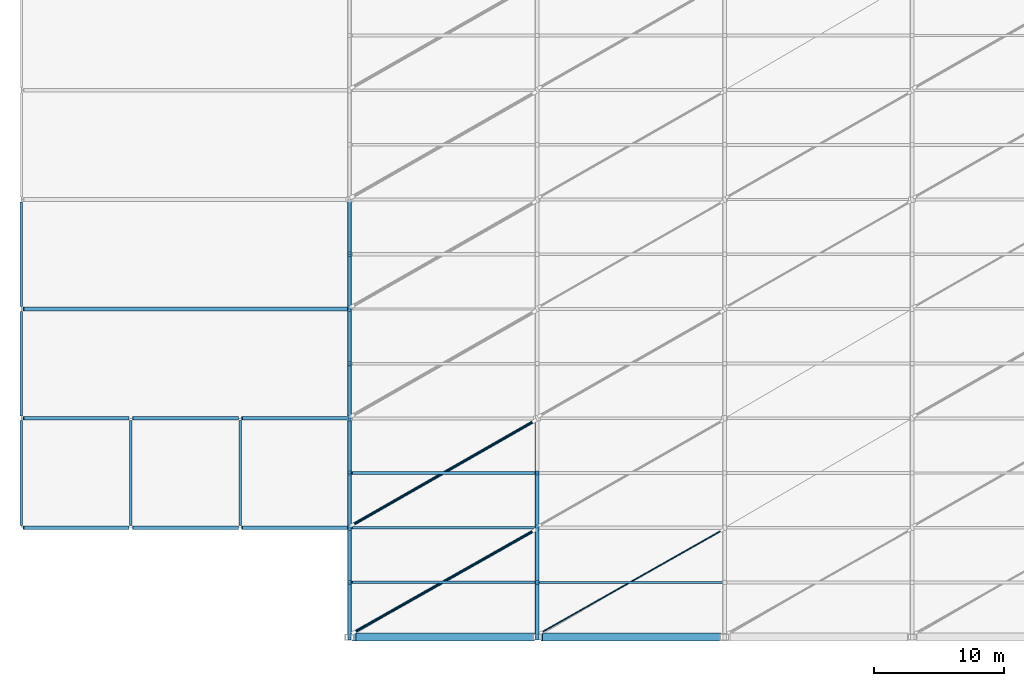
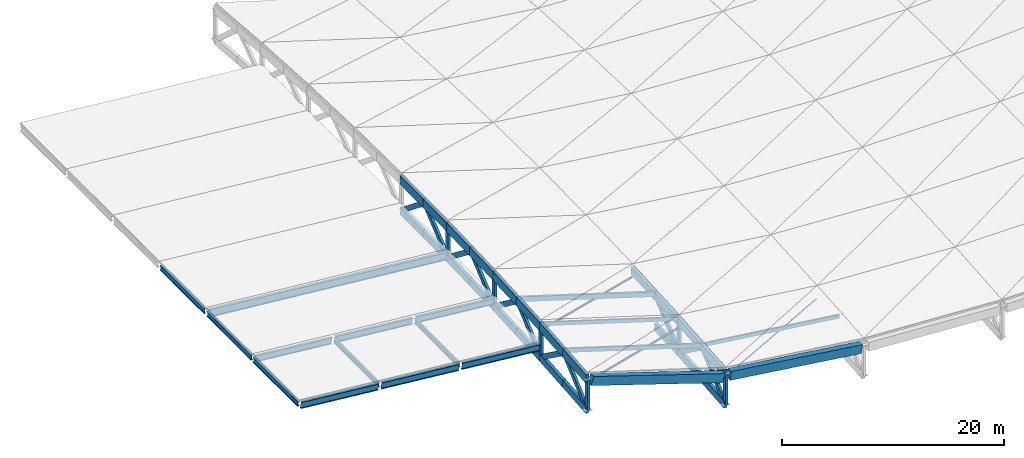
# One storey, part 1 of 22: 37 beams, 24 members.
"""IFC4 building model written with IfcOpenShell, lengths in metres."""

from ifc_helpers import new_model, si_unit, direction, frame, origin, origin_2d, place, context, subcontext, project, spatial, rectangle, hollow_circle, i_section, extrude, material, material_profile, profile_set, type_object, element, save


model = new_model("IFC4")

# Units and contexts
model_context = context("Model", 3, precision=1e-05, world=origin(), true_north=direction((0.0, 1.0)))
body_context = subcontext(model_context, "Body", "Model", "MODEL_VIEW")
ifc_project = project(units=[si_unit("LENGTHUNIT", "METRE"), si_unit("AREAUNIT", "SQUARE_METRE"), si_unit("VOLUMEUNIT", "CUBIC_METRE"), si_unit("PLANEANGLEUNIT", "RADIAN"), si_unit("MASSUNIT", "GRAM", prefix="KILO"), si_unit("THERMODYNAMICTEMPERATUREUNIT", "KELVIN")], contexts=[model_context])

# Site, building, storey
site_placement = place(None, origin())
site = spatial("IfcSite", under=ifc_project, at=site_placement, CompositionType="ELEMENT")
building_placement = place(site_placement, origin())
building = spatial("IfcBuilding", under=site, at=building_placement, Name="Nduvali Passage Aquatics Centre", CompositionType="ELEMENT")
storey_placement = place(building_placement, frame((0.0, 0.0, 21.60009765625)))
storey = spatial("IfcBuildingStorey", under=building, at=storey_placement, Name="RF", CompositionType="ELEMENT", Elevation=21.60009765625)

# Beams
ifc_material_1 = material(Name="Glulam GL32c", Category="wood")
ifc_material_profile_1 = material_profile(ifc_material_1, rectangle(XDim=0.320068359375, YDim=0.800048828125, at=origin_2d()), Name="GL32c 320x800")
ifc_profile_set_1 = profile_set([ifc_material_profile_1], Name="Glulam GL32c")
beam_type_1 = type_object("IfcBeamType", Name="STR-BM-GL32-BOT", PredefinedType="BEAM", material=ifc_profile_set_1)
beam_1_placement = place(storey_placement, frame((25.199951171875, 25.199951171875, -4.8740234375), z_axis=(0.0, 0.996548554241, 0.083011921073), x_axis=(-1.0, 0.0, 0.0)))
element("IfcBeam", 1, at=beam_1_placement, inside=storey, type_object=beam_type_1, Name="RF Pool Hall Roof Truss Bottom Chord R1 BC1-1679", PredefinedType="BEAM", context=body_context, shape_type="SweptSolid", body=[
    extrude(rectangle(XDim=0.320068359375, YDim=0.800048828125, at=origin_2d()), origin(), (0.0, 0.0, 1.0), 4.214599609375),
])
beam_2_placement = place(storey_placement, frame((25.199951171875, 29.39990234375, -4.524169921875), z_axis=(0.0, 0.996544160125, 0.083064655058), x_axis=(-1.0, 0.0, 0.0)))
element("IfcBeam", 2, at=beam_2_placement, inside=storey, type_object=beam_type_1, Name="RF Pool Hall Roof Truss Bottom Chord R1 BC1-1681", PredefinedType="BEAM", context=body_context, shape_type="SweptSolid", body=[
    extrude(rectangle(XDim=0.320068359375, YDim=0.800048828125, at=origin_2d()), origin(), (0.0, 0.0, 1.0), 4.21484375),
])
for number, where, z_axis, x_axis, name in (
    (3, (25.199951171875, 33.60009765625, -4.174072265625), (0.0, 0.998233110761, 0.059419328339), (-1.0, 0.0, 0.0), "RF Pool Hall Roof Truss Bottom Chord R1 BC1-1683"),
    (4, (25.199951171875, 37.800048828125, -3.924072265625), (0.0, 0.998233110761, 0.059419328339), (-1.0, 0.0, 0.0), "RF Pool Hall Roof Truss Bottom Chord R1 BC1-1685"),
):
    element("IfcBeam", number, at=place(storey_placement, frame(where, z_axis=z_axis, x_axis=x_axis)), inside=storey, type_object=beam_type_1, Name=name, PredefinedType="BEAM", context=body_context, shape_type="SweptSolid", body=[
        extrude(rectangle(XDim=0.320068359375, YDim=0.800048828125, at=origin_2d()), origin(), (0.0, 0.0, 1.0), 4.207275390625),
    ])
for number, where, z_axis, x_axis, name in (
    (5, (25.199951171875, 42.0, -3.674072265625), (0.0, 0.999363668121, 0.035668737559), (-1.0, 0.0, 0.0), "RF Pool Hall Roof Truss Bottom Chord R1 BC1-1687"),
    (6, (25.199951171875, 46.199951171875, -3.524169921875), (0.0, 0.999361595677, 0.035726755876), (-1.0, 0.0, 0.0), "RF Pool Hall Roof Truss Bottom Chord R1 BC1-1689"),
):
    element("IfcBeam", number, at=place(storey_placement, frame(where, z_axis=z_axis, x_axis=x_axis)), inside=storey, type_object=beam_type_1, Name=name, PredefinedType="BEAM", context=body_context, shape_type="SweptSolid", body=[
        extrude(rectangle(XDim=0.320068359375, YDim=0.800048828125, at=origin_2d()), origin(), (0.0, 0.0, 1.0), 4.20263671875),
    ])
beam_3_placement = place(storey_placement, frame((25.199951171875, 50.39990234375, -3.3740234375), z_axis=(0.0, 0.999929704799, 0.01185687397), x_axis=(-1.0, 0.0, 0.0)))
element("IfcBeam", 7, at=beam_3_placement, inside=storey, type_object=beam_type_1, Name="RF Pool Hall Roof Truss Bottom Chord R1 BC1-1691", PredefinedType="BEAM", context=body_context, shape_type="SweptSolid", body=[
    extrude(rectangle(XDim=0.320068359375, YDim=0.800048828125, at=origin_2d()), origin(), (0.0, 0.0, 1.0), 4.200439453125),
])
beam_4_placement = place(storey_placement, frame((25.199951171875, 54.60009765625, -3.32421875), z_axis=(0.0, 0.999929005763, 0.011915680183), x_axis=(-1.0, 0.0, 0.0)))
element("IfcBeam", 8, at=beam_4_placement, inside=storey, type_object=beam_type_1, Name="RF Pool Hall Roof Truss Bottom Chord R1 BC1-1693", PredefinedType="BEAM", context=body_context, shape_type="SweptSolid", body=[
    extrude(rectangle(XDim=0.320068359375, YDim=0.800048828125, at=origin_2d()), origin(), (0.0, 0.0, 1.0), 4.2001953125),
])
beam_5_placement = place(storey_placement, frame((39.60009765625, 25.199951171875, -9.32275390625), z_axis=(0.0, 0.996548554241, 0.083011921073), x_axis=(-1.0, 0.0, 0.0)))
element("IfcBeam", 9, at=beam_5_placement, inside=storey, type_object=beam_type_1, Name="RF Pool Hall Roof Truss Bottom Chord R2 BC1-1711", PredefinedType="BEAM", context=body_context, shape_type="SweptSolid", body=[
    extrude(rectangle(XDim=0.320068359375, YDim=0.800048828125, at=origin_2d()), origin(), (0.0, 0.0, 1.0), 4.214599609375),
])
beam_6_placement = place(storey_placement, frame((39.60009765625, 29.39990234375, -8.972900390625), z_axis=(0.0, 0.996544160125, 0.083064655058), x_axis=(-1.0, 0.0, 0.0)))
element("IfcBeam", 10, at=beam_6_placement, inside=storey, type_object=beam_type_1, Name="RF Pool Hall Roof Truss Bottom Chord R2 BC1-1713", PredefinedType="BEAM", context=body_context, shape_type="SweptSolid", body=[
    extrude(rectangle(XDim=0.320068359375, YDim=0.800048828125, at=origin_2d()), origin(), (0.0, 0.0, 1.0), 4.21484375),
])
beam_7_placement = place(storey_placement, frame((39.60009765625, 33.60009765625, -8.622802734375), z_axis=(0.0, 0.998233110761, 0.059419328339), x_axis=(-1.0, 0.0, 0.0)))
element("IfcBeam", 11, at=beam_7_placement, inside=storey, type_object=beam_type_1, Name="RF Pool Hall Roof Truss Bottom Chord R2 BC1-1715", PredefinedType="BEAM", context=body_context, shape_type="SweptSolid", body=[
    extrude(rectangle(XDim=0.320068359375, YDim=0.800048828125, at=origin_2d()), origin(), (0.0, 0.0, 1.0), 4.207275390625),
])
ifc_material_profile_2 = material_profile(ifc_material_1, rectangle(XDim=0.320068359375, YDim=0.9599609375, at=origin_2d()), Name="GL32c 320x960")
ifc_profile_set_2 = profile_set([ifc_material_profile_2], Name="Glulam GL32c")
beam_type_2 = type_object("IfcBeamType", Name="STR-BM-GL32-END", PredefinedType="BEAM", material=ifc_profile_set_2)
beam_8_placement = place(storey_placement, frame((25.199951171875, 25.199951171875, -1.47412109375), z_axis=(0.0, 0.996543760423, 0.083069450238), x_axis=(-1.0, 0.0, 0.0)))
element("IfcBeam", 12, at=beam_8_placement, inside=storey, type_object=beam_type_2, Name="RF Pool Hall Roof Truss Top Chord R1 TC0-1678", PredefinedType="BEAM", context=body_context, shape_type="SweptSolid", body=[
    extrude(rectangle(XDim=0.320068359375, YDim=0.9599609375, at=origin_2d()), origin(), (0.0, 0.0, 1.0), 4.214599609375),
])
beam_9_placement = place(storey_placement, frame((25.199951171875, 29.39990234375, -1.1240234375), z_axis=(0.0, 0.996548953392, 0.083007129168), x_axis=(-1.0, 0.0, 0.0)))
element("IfcBeam", 13, at=beam_9_placement, inside=storey, type_object=beam_type_2, Name="RF Pool Hall Roof Truss Top Chord R1 TC0-1680", PredefinedType="BEAM", context=body_context, shape_type="SweptSolid", body=[
    extrude(rectangle(XDim=0.320068359375, YDim=0.9599609375, at=origin_2d()), origin(), (0.0, 0.0, 1.0), 4.21484375),
])
for number, where, z_axis, x_axis, name in (
    (14, (25.199951171875, 33.60009765625, -0.774169921875), (0.0, 0.998233110761, 0.059419328339), (-1.0, 0.0, 0.0), "RF Pool Hall Roof Truss Top Chord R1 TC0-1682"),
    (15, (25.199951171875, 37.800048828125, -0.524169921875), (0.0, 0.998233110761, 0.059419328339), (-1.0, 0.0, 0.0), "RF Pool Hall Roof Truss Top Chord R1 TC0-1684"),
):
    element("IfcBeam", number, at=place(storey_placement, frame(where, z_axis=z_axis, x_axis=x_axis)), inside=storey, type_object=beam_type_2, Name=name, PredefinedType="BEAM", context=body_context, shape_type="SweptSolid", body=[
        extrude(rectangle(XDim=0.320068359375, YDim=0.9599609375, at=origin_2d()), origin(), (0.0, 0.0, 1.0), 4.207275390625),
    ])
for number, where, z_axis, x_axis, name in (
    (16, (25.199951171875, 42.0, -0.274169921875), (0.0, 0.999361595677, 0.035726755876), (-1.0, 0.0, 0.0), "RF Pool Hall Roof Truss Top Chord R1 TC0-1686"),
    (17, (25.199951171875, 46.199951171875, -0.1240234375), (0.0, 0.999363668121, 0.035668737559), (-1.0, 0.0, 0.0), "RF Pool Hall Roof Truss Top Chord R1 TC0-1688"),
):
    element("IfcBeam", number, at=place(storey_placement, frame(where, z_axis=z_axis, x_axis=x_axis)), inside=storey, type_object=beam_type_2, Name=name, PredefinedType="BEAM", context=body_context, shape_type="SweptSolid", body=[
        extrude(rectangle(XDim=0.320068359375, YDim=0.9599609375, at=origin_2d()), origin(), (0.0, 0.0, 1.0), 4.20263671875),
    ])
beam_10_placement = place(storey_placement, frame((25.199951171875, 50.39990234375, 0.02587890625), z_axis=(0.0, 0.999929014015, 0.01191498767), x_axis=(-1.0, 0.0, 0.0)))
element("IfcBeam", 18, at=beam_10_placement, inside=storey, type_object=beam_type_2, Name="RF Pool Hall Roof Truss Top Chord R1 TC0-1690", PredefinedType="BEAM", context=body_context, shape_type="SweptSolid", body=[
    extrude(rectangle(XDim=0.320068359375, YDim=0.9599609375, at=origin_2d()), origin(), (0.0, 0.0, 1.0), 4.200439453125),
])
beam_11_placement = place(storey_placement, frame((25.199951171875, 54.60009765625, 0.075927734375), z_axis=(0.0, 0.999929005763, 0.011915680183), x_axis=(-1.0, 0.0, 0.0)))
element("IfcBeam", 19, at=beam_11_placement, inside=storey, type_object=beam_type_2, Name="RF Pool Hall Roof Truss Top Chord R1 TC0-1692", PredefinedType="BEAM", context=body_context, shape_type="SweptSolid", body=[
    extrude(rectangle(XDim=0.320068359375, YDim=0.9599609375, at=origin_2d()), origin(), (0.0, 0.0, 1.0), 4.2001953125),
])
ifc_material_profile_3 = material_profile(ifc_material_1, rectangle(XDim=0.320068359375, YDim=0.89990234375, at=origin_2d()), Name="GL32c 320x900")
ifc_profile_set_3 = profile_set([ifc_material_profile_3], Name="Glulam GL32c")
beam_type_3 = type_object("IfcBeamType", Name="STR-BM-GL32-TOP", PredefinedType="BEAM", material=ifc_profile_set_3)
beam_12_placement = place(storey_placement, frame((39.60009765625, 25.199951171875, -5.9228515625), z_axis=(0.0, 0.996543760423, 0.083069450238), x_axis=(-1.0, 0.0, 0.0)))
element("IfcBeam", 20, at=beam_12_placement, inside=storey, type_object=beam_type_3, Name="RF Pool Hall Roof Truss Top Chord R2 TC1-1710", PredefinedType="BEAM", context=body_context, shape_type="SweptSolid", body=[
    extrude(rectangle(XDim=0.320068359375, YDim=0.89990234375, at=origin_2d()), origin(), (0.0, 0.0, 1.0), 4.214599609375),
])
beam_13_placement = place(storey_placement, frame((39.60009765625, 29.39990234375, -5.57275390625), z_axis=(0.0, 0.996548953392, 0.083007129168), x_axis=(-1.0, 0.0, 0.0)))
element("IfcBeam", 21, at=beam_13_placement, inside=storey, type_object=beam_type_3, Name="RF Pool Hall Roof Truss Top Chord R2 TC1-1712", PredefinedType="BEAM", context=body_context, shape_type="SweptSolid", body=[
    extrude(rectangle(XDim=0.320068359375, YDim=0.89990234375, at=origin_2d()), origin(), (0.0, 0.0, 1.0), 4.21484375),
])
for number, where, z_axis, x_axis, name in (
    (22, (39.60009765625, 33.60009765625, -5.222900390625), (0.0, 0.998233110761, 0.059419328339), (-1.0, 0.0, 0.0), "RF Pool Hall Roof Truss Top Chord R2 TC1-1714"),
    (23, (39.60009765625, 37.800048828125, -4.972900390625), (0.0, 0.998233110761, 0.059419328339), (-1.0, 0.0, 0.0), "RF Pool Hall Roof Truss Top Chord R2 TC1-1716"),
):
    element("IfcBeam", number, at=place(storey_placement, frame(where, z_axis=z_axis, x_axis=x_axis)), inside=storey, type_object=beam_type_3, Name=name, PredefinedType="BEAM", context=body_context, shape_type="SweptSolid", body=[
        extrude(rectangle(XDim=0.320068359375, YDim=0.89990234375, at=origin_2d()), origin(), (0.0, 0.0, 1.0), 4.207275390625),
    ])
ifc_material_2 = material(Name="Concrete C40/50", Category="concrete")
ifc_material_profile_4 = material_profile(ifc_material_2, rectangle(XDim=0.60009765625, YDim=0.949951171875, at=origin_2d()), Name="RC 600x950")
ifc_profile_set_4 = profile_set([ifc_material_profile_4], Name="Concrete C40/50")
beam_type_4 = type_object("IfcBeamType", Name="STR-BM-RC6095-EXT", PredefinedType="BEAM", material=ifc_profile_set_4)
beam_14_placement = place(storey_placement, frame((25.550048828125, 25.199951171875, -1.6669921875), z_axis=(0.950496768294, 0.0, -0.310734442027), x_axis=(0.0, 1.0, 0.0)))
element("IfcBeam", 24, at=beam_14_placement, inside=storey, type_object=beam_type_4, Name="RF Pool Hall Perimeter Ring Beam B1E-1664", PredefinedType="BEAM", context=body_context, shape_type="SweptSolid", body=[
    extrude(rectangle(XDim=0.60009765625, YDim=0.949951171875, at=origin_2d()), origin(), (0.0, 0.0, 1.0), 14.41357421875),
])
beam_15_placement = place(storey_placement, frame((39.949951171875, 25.199951171875, -6.145751953125), z_axis=(0.991142078777, 0.0, -0.132805796852), x_axis=(0.0, 1.0, 0.0)))
element("IfcBeam", 25, at=beam_15_placement, inside=storey, type_object=beam_type_4, Name="RF Pool Hall Perimeter Ring Beam B1E-1665", PredefinedType="BEAM", context=body_context, shape_type="SweptSolid", body=[
    extrude(rectangle(XDim=0.60009765625, YDim=0.949951171875, at=origin_2d()), origin(), (0.0, 0.0, 1.0), 13.822509765625),
])
ifc_material_3 = material(Name="Steel S355", Category="steel")
ifc_material_profile_5 = material_profile(ifc_material_3, i_section(OverallWidth=0.210693359375, OverallDepth=0.53955078125, WebThickness=0.01171875, FlangeThickness=0.018798828125, FilletRadius=0.0126953125, at=origin_2d()), Name="UKB 533x210x109")
ifc_profile_set_5 = profile_set([ifc_material_profile_5], Name="Steel S355")
beam_type_5 = type_object("IfcBeamType", Name="STR-BM-UKB533", PredefinedType="BEAM", material=ifc_profile_set_5)
for number, where, z_axis, x_axis, name in (
    (26, (8.39990234375, 33.77001953125, -1.393310546875), (0.0, 1.0, 0.0), (-1.0, 0.0, 0.0), "RF Diving Roof N-S Girder B6-1645"),
    (27, (16.800048828125, 33.77001953125, -2.1767578125), (0.0, 1.0, 0.0), (-1.0, 0.0, 0.0), "RF Diving Roof N-S Girder B6-1647"),
):
    element("IfcBeam", number, at=place(storey_placement, frame(where, z_axis=z_axis, x_axis=x_axis)), inside=storey, type_object=beam_type_5, Name=name, PredefinedType="BEAM", context=body_context, shape_type="SweptSolid", body=[
        extrude(i_section(OverallWidth=0.210693359375, OverallDepth=0.53955078125, WebThickness=0.01171875, FlangeThickness=0.018798828125, FilletRadius=0.0126953125, at=origin_2d()), origin(), (0.0, 0.0, 1.0), 8.06005859375),
    ])
ifc_material_profile_6 = material_profile(ifc_material_3, i_section(OverallWidth=0.210693359375, OverallDepth=0.53955078125, WebThickness=0.01171875, FlangeThickness=0.018798828125, FilletRadius=0.0126953125, at=origin_2d()), Name="UKB 533x210x109")
ifc_profile_set_6 = profile_set([ifc_material_profile_6], Name="Steel S355")
beam_type_6 = type_object("IfcBeamType", Name="STR-BM-UKB533-EXT", PredefinedType="BEAM", material=ifc_profile_set_6)
beam_16_placement = place(storey_placement, frame((0.0, 33.77001953125, -0.610107421875), z_axis=(0.0, 1.0, 0.0), x_axis=(-1.0, 0.0, 0.0)))
element("IfcBeam", 28, at=beam_16_placement, inside=storey, type_object=beam_type_6, Name="RF Diving Roof N-S Girder B6E-1639", PredefinedType="BEAM", context=body_context, shape_type="SweptSolid", body=[
    extrude(i_section(OverallWidth=0.210693359375, OverallDepth=0.53955078125, WebThickness=0.01171875, FlangeThickness=0.018798828125, FilletRadius=0.0126953125, at=origin_2d()), origin(), (0.0, 0.0, 1.0), 8.06005859375),
])
beam_17_placement = place(storey_placement, frame((0.0, 42.169921875, -0.610107421875), z_axis=(0.0, 1.0, 0.0), x_axis=(-1.0, 0.0, 0.0)))
element("IfcBeam", 29, at=beam_17_placement, inside=storey, type_object=beam_type_6, Name="RF Diving Roof N-S Girder B6E-1640", PredefinedType="BEAM", context=body_context, shape_type="SweptSolid", body=[
    extrude(i_section(OverallWidth=0.210693359375, OverallDepth=0.53955078125, WebThickness=0.01171875, FlangeThickness=0.018798828125, FilletRadius=0.0126953125, at=origin_2d()), origin(), (0.0, 0.0, 1.0), 8.030029296875),
])
beam_18_placement = place(storey_placement, frame((0.0, 50.60009765625, -0.610107421875), z_axis=(0.0, 1.0, 0.0), x_axis=(-1.0, 0.0, 0.0)))
element("IfcBeam", 30, at=beam_18_placement, inside=storey, type_object=beam_type_6, Name="RF Diving Roof N-S Girder B6E-1641", PredefinedType="BEAM", context=body_context, shape_type="SweptSolid", body=[
    extrude(i_section(OverallWidth=0.210693359375, OverallDepth=0.53955078125, WebThickness=0.01171875, FlangeThickness=0.018798828125, FilletRadius=0.0126953125, at=origin_2d()), origin(), (0.0, 0.0, 1.0), 8.0),
])
ifc_material_profile_7 = material_profile(ifc_material_3, i_section(OverallWidth=0.253662109375, OverallDepth=0.68359375, WebThickness=0.012451171875, FlangeThickness=0.01904296875, FilletRadius=0.01513671875, at=origin_2d()), Name="UKB 686x254x140")
ifc_profile_set_7 = profile_set([ifc_material_profile_7], Name="Steel S355")
beam_type_7 = type_object("IfcBeamType", Name="STR-BM-UKB686", PredefinedType="BEAM", material=ifc_profile_set_7)
beam_19_placement = place(storey_placement, frame((0.14990234375, 42.0, -0.68212890625), z_axis=(0.995357989666, 0.0, -0.096241739431), x_axis=(0.0, 1.0, 0.0)))
element("IfcBeam", 31, at=beam_19_placement, inside=storey, type_object=beam_type_7, Name="RF Diving Sloped Rafter B4-1652", PredefinedType="BEAM", context=body_context, shape_type="SweptSolid", body=[
    extrude(i_section(OverallWidth=0.253662109375, OverallDepth=0.68359375, WebThickness=0.012451171875, FlangeThickness=0.01904296875, FilletRadius=0.01513671875, at=origin_2d()), origin(), (0.0, 0.0, 1.0), 8.137939453125),
])
beam_20_placement = place(storey_placement, frame((8.550048828125, 42.0, -1.46533203125), z_axis=(0.995354837266, 0.0, -0.096274336823), x_axis=(0.0, 1.0, 0.0)))
element("IfcBeam", 32, at=beam_20_placement, inside=storey, type_object=beam_type_7, Name="RF Diving Sloped Rafter B4-1653", PredefinedType="BEAM", context=body_context, shape_type="SweptSolid", body=[
    extrude(i_section(OverallWidth=0.253662109375, OverallDepth=0.68359375, WebThickness=0.012451171875, FlangeThickness=0.01904296875, FilletRadius=0.01513671875, at=origin_2d()), origin(), (0.0, 0.0, 1.0), 8.1376953125),
])
beam_21_placement = place(storey_placement, frame((16.949951171875, 42.0, -2.248779296875), z_axis=(0.995357989666, 0.0, -0.096241739431), x_axis=(0.0, 1.0, 0.0)))
element("IfcBeam", 33, at=beam_21_placement, inside=storey, type_object=beam_type_7, Name="RF Diving Sloped Rafter B4-1654", PredefinedType="BEAM", context=body_context, shape_type="SweptSolid", body=[
    extrude(i_section(OverallWidth=0.253662109375, OverallDepth=0.68359375, WebThickness=0.012451171875, FlangeThickness=0.01904296875, FilletRadius=0.01513671875, at=origin_2d()), origin(), (0.0, 0.0, 1.0), 8.137939453125),
])
ifc_material_profile_8 = material_profile(ifc_material_3, i_section(OverallWidth=0.253662109375, OverallDepth=0.68359375, WebThickness=0.012451171875, FlangeThickness=0.01904296875, FilletRadius=0.01513671875, at=origin_2d()), Name="UKB 686x254x140")
ifc_profile_set_8 = profile_set([ifc_material_profile_8], Name="Steel S355")
beam_type_8 = type_object("IfcBeamType", Name="STR-BM-UKB686-EXT", PredefinedType="BEAM", material=ifc_profile_set_8)
beam_22_placement = place(storey_placement, frame((0.14990234375, 33.60009765625, -0.68212890625), z_axis=(0.995357989666, 0.0, -0.096241739431), x_axis=(0.0, 1.0, 0.0)))
element("IfcBeam", 34, at=beam_22_placement, inside=storey, type_object=beam_type_8, Name="RF Diving Sloped Rafter B4E-1649", PredefinedType="BEAM", context=body_context, shape_type="SweptSolid", body=[
    extrude(i_section(OverallWidth=0.253662109375, OverallDepth=0.68359375, WebThickness=0.012451171875, FlangeThickness=0.01904296875, FilletRadius=0.01513671875, at=origin_2d()), origin(), (0.0, 0.0, 1.0), 8.137939453125),
])
beam_23_placement = place(storey_placement, frame((8.550048828125, 33.60009765625, -1.46533203125), z_axis=(0.995354837266, 0.0, -0.096274336823), x_axis=(0.0, 1.0, 0.0)))
element("IfcBeam", 35, at=beam_23_placement, inside=storey, type_object=beam_type_8, Name="RF Diving Sloped Rafter B4E-1650", PredefinedType="BEAM", context=body_context, shape_type="SweptSolid", body=[
    extrude(i_section(OverallWidth=0.253662109375, OverallDepth=0.68359375, WebThickness=0.012451171875, FlangeThickness=0.01904296875, FilletRadius=0.01513671875, at=origin_2d()), origin(), (0.0, 0.0, 1.0), 8.1376953125),
])
beam_24_placement = place(storey_placement, frame((16.949951171875, 33.60009765625, -2.248779296875), z_axis=(0.995357989666, 0.0, -0.096241739431), x_axis=(0.0, 1.0, 0.0)))
element("IfcBeam", 36, at=beam_24_placement, inside=storey, type_object=beam_type_8, Name="RF Diving Sloped Rafter B4E-1651", PredefinedType="BEAM", context=body_context, shape_type="SweptSolid", body=[
    extrude(i_section(OverallWidth=0.253662109375, OverallDepth=0.68359375, WebThickness=0.012451171875, FlangeThickness=0.01904296875, FilletRadius=0.01513671875, at=origin_2d()), origin(), (0.0, 0.0, 1.0), 8.137939453125),
])
ifc_material_profile_9 = material_profile(ifc_material_3, i_section(OverallWidth=0.29248046875, OverallDepth=0.8408203125, WebThickness=0.0146484375, FlangeThickness=0.021728515625, FilletRadius=0.017822265625, at=origin_2d()), Name="UKB 838x292x194")
ifc_profile_set_9 = profile_set([ifc_material_profile_9], Name="Steel S355")
beam_type_9 = type_object("IfcBeamType", Name="STR-BM-UKB838", PredefinedType="BEAM", material=ifc_profile_set_9)
beam_25_placement = place(storey_placement, frame((0.14990234375, 50.39990234375, -0.760498046875), z_axis=(0.995576574494, 0.0, -0.093953628551), x_axis=(0.0, 1.0, 0.0)))
element("IfcBeam", 37, at=beam_25_placement, inside=storey, type_object=beam_type_9, Name="RF Diving Long-Span Sloped Rafter B4B-1655", PredefinedType="BEAM", context=body_context, shape_type="SweptSolid", body=[
    extrude(i_section(OverallWidth=0.29248046875, OverallDepth=0.8408203125, WebThickness=0.0146484375, FlangeThickness=0.021728515625, FilletRadius=0.017822265625, at=origin_2d()), origin(), (0.0, 0.0, 1.0), 25.0107421875),
])

# Members
ifc_material_profile_10 = material_profile(ifc_material_3, hollow_circle(Radius=0.05712890625, WallThickness=0.00634765625, at=origin_2d()), Name="CHS 114.3x6.3")
ifc_profile_set_10 = profile_set([ifc_material_profile_10], Name="Steel S355")
member_type_1 = type_object("IfcMemberType", Name="STR-MEM-CHS114", PredefinedType="BRACE", material=ifc_profile_set_10)
member_1_placement = place(storey_placement, frame((39.919921875, 25.550048828125, -6.500732421875), z_axis=(0.868240763023, 0.491030293097, -0.071043850449), x_axis=(-0.49227417479, 0.870440197162, 0.0)))
element("IfcMember", 38, at=member_1_placement, inside=storey, type_object=member_type_1, Name="Pool Hall Roof Wind Brace B2-P1A", PredefinedType="BRACE", context=body_context, shape_type="SweptSolid", body=[
    extrude(hollow_circle(Radius=0.05712890625, WallThickness=0.00634765625, at=origin_2d()), origin(), (0.0, 0.0, 1.0), 15.986572265625),
])
ifc_material_profile_11 = material_profile(ifc_material_3, hollow_circle(Radius=0.109619140625, WallThickness=0.008056640625, at=origin_2d()), Name="CHS 219.1x8.0")
ifc_profile_set_11 = profile_set([ifc_material_profile_11], Name="Steel S355")
member_type_2 = type_object("IfcMemberType", Name="STR-MEM-CHS219", PredefinedType="BRACE", material=ifc_profile_set_11)
member_2_placement = place(storey_placement, frame((25.52001953125, 25.550048828125, -2.022216796875), z_axis=(0.846981868446, 0.479015830861, -0.230576556285), x_axis=(-0.492280735282, 0.870436486868, 0.0)))
element("IfcMember", 39, at=member_2_placement, inside=storey, type_object=member_type_2, Name="Pool Hall Roof Wind Brace B1-P1A", PredefinedType="BRACE", context=body_context, shape_type="SweptSolid", body=[
    extrude(hollow_circle(Radius=0.109619140625, WallThickness=0.008056640625, at=origin_2d()), origin(), (0.0, 0.0, 1.0), 16.387451171875),
])
member_3_placement = place(storey_placement, frame((25.39990234375, 33.800048828125, -1.322021484375), z_axis=(0.842959810275, 0.481691320157, -0.239566755512), x_axis=(-0.496138938357, 0.868243142124, 0.0)))
element("IfcMember", 40, at=member_3_placement, inside=storey, type_object=member_type_2, Name="Pool Hall Roof Wind Brace B1-P2A", PredefinedType="BRACE", context=body_context, shape_type="SweptSolid", body=[
    extrude(hollow_circle(Radius=0.109619140625, WallThickness=0.008056640625, at=origin_2d()), origin(), (0.0, 0.0, 1.0), 16.608154296875),
])
ifc_material_4 = material(Name="Glulam GL28h", Category="wood")
ifc_material_profile_12 = material_profile(ifc_material_4, rectangle(XDim=0.260009765625, YDim=0.52001953125, at=origin_2d()), Name="GL28h 260x520")
ifc_profile_set_12 = profile_set([ifc_material_profile_12], Name="Glulam GL28h")
member_type_3 = type_object("IfcMemberType", Name="STR-MEM-GL-DIAG", PredefinedType="CHORD", material=ifc_profile_set_12)
member_4_placement = place(storey_placement, frame((25.199951171875, 25.199951171875, -4.8740234375), z_axis=(0.0, 0.745933814853, 0.666020077669), x_axis=(-1.0, 0.0, 0.0)))
element("IfcMember", 41, at=member_4_placement, inside=storey, type_object=member_type_3, Name="Pool Hall Roof Truss Web Diagonal R1-1", PredefinedType="CHORD", context=body_context, shape_type="SweptSolid", body=[
    extrude(rectangle(XDim=0.260009765625, YDim=0.52001953125, at=origin_2d()), origin(), (0.0, 0.0, 1.0), 5.63037109375),
])
member_5_placement = place(storey_placement, frame((25.199951171875, 29.39990234375, -1.1240234375), z_axis=(0.0, 0.809160952466, -0.587587059937), x_axis=(-1.0, 0.0, 0.0)))
element("IfcMember", 42, at=member_5_placement, inside=storey, type_object=member_type_3, Name="Pool Hall Roof Truss Web Diagonal R1-2", PredefinedType="CHORD", context=body_context, shape_type="SweptSolid", body=[
    extrude(rectangle(XDim=0.260009765625, YDim=0.52001953125, at=origin_2d()), origin(), (0.0, 0.0, 1.0), 5.19091796875),
])
member_6_placement = place(storey_placement, frame((25.199951171875, 33.60009765625, -4.174072265625), z_axis=(0.0, 0.754803851974, 0.655950566007), x_axis=(-1.0, 0.0, 0.0)))
element("IfcMember", 43, at=member_6_placement, inside=storey, type_object=member_type_3, Name="Pool Hall Roof Truss Web Diagonal R1-3", PredefinedType="CHORD", context=body_context, shape_type="SweptSolid", body=[
    extrude(rectangle(XDim=0.260009765625, YDim=0.52001953125, at=origin_2d()), origin(), (0.0, 0.0, 1.0), 5.564208984375),
])
member_7_placement = place(storey_placement, frame((25.199951171875, 37.800048828125, -0.524169921875), z_axis=(0.0, 0.800005580426, -0.599992559359), x_axis=(-1.0, 0.0, 0.0)))
element("IfcMember", 44, at=member_7_placement, inside=storey, type_object=member_type_3, Name="Pool Hall Roof Truss Web Diagonal R1-4", PredefinedType="CHORD", context=body_context, shape_type="SweptSolid", body=[
    extrude(rectangle(XDim=0.260009765625, YDim=0.52001953125, at=origin_2d()), origin(), (0.0, 0.0, 1.0), 5.25),
])
member_8_placement = place(storey_placement, frame((25.199951171875, 42.0, -3.674072265625), z_axis=(0.0, 0.763722969403, 0.645544131726), x_axis=(-1.0, 0.0, 0.0)))
element("IfcMember", 45, at=member_8_placement, inside=storey, type_object=member_type_3, Name="Pool Hall Roof Truss Web Diagonal R1-5", PredefinedType="CHORD", context=body_context, shape_type="SweptSolid", body=[
    extrude(rectangle(XDim=0.260009765625, YDim=0.52001953125, at=origin_2d()), origin(), (0.0, 0.0, 1.0), 5.499267578125),
])
member_9_placement = place(storey_placement, frame((25.199951171875, 46.199951171875, -0.1240234375), z_axis=(0.0, 0.790867256885, -0.611987730259), x_axis=(-1.0, 0.0, 0.0)))
element("IfcMember", 46, at=member_9_placement, inside=storey, type_object=member_type_3, Name="Pool Hall Roof Truss Web Diagonal R1-6", PredefinedType="CHORD", context=body_context, shape_type="SweptSolid", body=[
    extrude(rectangle(XDim=0.260009765625, YDim=0.52001953125, at=origin_2d()), origin(), (0.0, 0.0, 1.0), 5.310546875),
])
member_10_placement = place(storey_placement, frame((25.199951171875, 50.39990234375, -3.3740234375), z_axis=(0.0, 0.772745137627, 0.634716434539), x_axis=(-1.0, 0.0, 0.0)))
element("IfcMember", 47, at=member_10_placement, inside=storey, type_object=member_type_3, Name="Pool Hall Roof Truss Web Diagonal R1-7", PredefinedType="CHORD", context=body_context, shape_type="SweptSolid", body=[
    extrude(rectangle(XDim=0.260009765625, YDim=0.52001953125, at=origin_2d()), origin(), (0.0, 0.0, 1.0), 5.435302734375),
])
member_11_placement = place(storey_placement, frame((25.199951171875, 54.60009765625, 0.075927734375), z_axis=(0.0, 0.781763575378, -0.623574945145), x_axis=(-1.0, 0.0, 0.0)))
element("IfcMember", 48, at=member_11_placement, inside=storey, type_object=member_type_3, Name="Pool Hall Roof Truss Web Diagonal R1-8", PredefinedType="CHORD", context=body_context, shape_type="SweptSolid", body=[
    extrude(rectangle(XDim=0.260009765625, YDim=0.52001953125, at=origin_2d()), origin(), (0.0, 0.0, 1.0), 5.372314453125),
])
member_12_placement = place(storey_placement, frame((39.60009765625, 25.199951171875, -9.32275390625), z_axis=(0.0, 0.745933814853, 0.666020077669), x_axis=(-1.0, 0.0, 0.0)))
element("IfcMember", 49, at=member_12_placement, inside=storey, type_object=member_type_3, Name="Pool Hall Roof Truss Web Diagonal R2-1", PredefinedType="CHORD", context=body_context, shape_type="SweptSolid", body=[
    extrude(rectangle(XDim=0.260009765625, YDim=0.52001953125, at=origin_2d()), origin(), (0.0, 0.0, 1.0), 5.63037109375),
])
member_13_placement = place(storey_placement, frame((39.60009765625, 29.39990234375, -5.57275390625), z_axis=(0.0, 0.809160952466, -0.587587059937), x_axis=(-1.0, 0.0, 0.0)))
element("IfcMember", 50, at=member_13_placement, inside=storey, type_object=member_type_3, Name="Pool Hall Roof Truss Web Diagonal R2-2", PredefinedType="CHORD", context=body_context, shape_type="SweptSolid", body=[
    extrude(rectangle(XDim=0.260009765625, YDim=0.52001953125, at=origin_2d()), origin(), (0.0, 0.0, 1.0), 5.19091796875),
])
member_14_placement = place(storey_placement, frame((39.60009765625, 33.60009765625, -8.622802734375), z_axis=(0.0, 0.754803851974, 0.655950566007), x_axis=(-1.0, 0.0, 0.0)))
element("IfcMember", 51, at=member_14_placement, inside=storey, type_object=member_type_3, Name="Pool Hall Roof Truss Web Diagonal R2-3", PredefinedType="CHORD", context=body_context, shape_type="SweptSolid", body=[
    extrude(rectangle(XDim=0.260009765625, YDim=0.52001953125, at=origin_2d()), origin(), (0.0, 0.0, 1.0), 5.564208984375),
])
ifc_material_profile_13 = material_profile(ifc_material_4, rectangle(XDim=0.179931640625, YDim=0.39990234375, at=origin_2d()), Name="GL28h 180x400")
ifc_profile_set_13 = profile_set([ifc_material_profile_13], Name="Glulam GL28h")
member_type_4 = type_object("IfcMemberType", Name="STR-MEM-GL-PUR1", PredefinedType="PURLIN", material=ifc_profile_set_13)
member_15_placement = place(storey_placement, frame((25.360107421875, 33.60009765625, -0.536865234375), z_axis=(0.954880673718, 0.0, -0.296989728711), x_axis=(0.0, 1.0, 0.0)))
element("IfcMember", 52, at=member_15_placement, inside=storey, type_object=member_type_4, Name="Pool Hall Saddle Roof Purlin B1-2", PredefinedType="PURLIN", context=body_context, shape_type="SweptSolid", body=[
    extrude(rectangle(XDim=0.179931640625, YDim=0.39990234375, at=origin_2d()), origin(), (0.0, 0.0, 1.0), 14.7451171875),
])
member_16_placement = place(storey_placement, frame((39.760009765625, 29.39990234375, -5.336181640625), z_axis=(0.991972197135, 0.0, -0.126456158852), x_axis=(0.0, 1.0, 0.0)))
element("IfcMember", 53, at=member_16_placement, inside=storey, type_object=member_type_4, Name="Pool Hall Saddle Roof Purlin B2-1", PredefinedType="PURLIN", context=body_context, shape_type="SweptSolid", body=[
    extrude(rectangle(XDim=0.179931640625, YDim=0.39990234375, at=origin_2d()), origin(), (0.0, 0.0, 1.0), 14.194091796875),
])
ifc_material_profile_14 = material_profile(ifc_material_4, rectangle(XDim=0.199951171875, YDim=0.43994140625, at=origin_2d()), Name="GL28h 200x440")
ifc_profile_set_14 = profile_set([ifc_material_profile_14], Name="Glulam GL28h")
member_type_5 = type_object("IfcMemberType", Name="STR-MEM-GL-PUR4", PredefinedType="PURLIN", material=ifc_profile_set_14)
member_17_placement = place(storey_placement, frame((25.360107421875, 29.39990234375, -0.906982421875), z_axis=(0.954885369125, 0.0, -0.296974631628), x_axis=(0.0, 1.0, 0.0)))
element("IfcMember", 54, at=member_17_placement, inside=storey, type_object=member_type_5, Name="Pool Hall Saddle Roof Purlin B1-1", PredefinedType="PURLIN", context=body_context, shape_type="SweptSolid", body=[
    extrude(rectangle(XDim=0.199951171875, YDim=0.43994140625, at=origin_2d()), origin(), (0.0, 0.0, 1.0), 14.7451171875),
])
ifc_material_profile_15 = material_profile(ifc_material_4, rectangle(XDim=0.239990234375, YDim=0.52001953125, at=origin_2d()), Name="GL28h 240x520")
ifc_profile_set_15 = profile_set([ifc_material_profile_15], Name="Glulam GL28h")
member_type_6 = type_object("IfcMemberType", Name="STR-MEM-GL-PUR5", PredefinedType="PURLIN", material=ifc_profile_set_15)
member_18_placement = place(storey_placement, frame((25.360107421875, 37.800048828125, -0.346923828125), z_axis=(0.954880673718, 0.0, -0.296989728711), x_axis=(0.0, 1.0, 0.0)))
element("IfcMember", 55, at=member_18_placement, inside=storey, type_object=member_type_6, Name="Pool Hall Saddle Roof Purlin B1-3", PredefinedType="PURLIN", context=body_context, shape_type="SweptSolid", body=[
    extrude(rectangle(XDim=0.239990234375, YDim=0.52001953125, at=origin_2d()), origin(), (0.0, 0.0, 1.0), 14.7451171875),
])
ifc_material_profile_16 = material_profile(ifc_material_4, rectangle(XDim=0.260009765625, YDim=0.419921875, at=origin_2d()), Name="GL28h 260x420")
ifc_profile_set_16 = profile_set([ifc_material_profile_16], Name="Glulam GL28h")
member_type_7 = type_object("IfcMemberType", Name="STR-MEM-GL-VERT", PredefinedType="STRUT", material=ifc_profile_set_16)
for number, where, z_axis, x_axis, name in (
    (56, (25.199951171875, 25.199951171875, -4.8740234375), (0.0, 0.0, 1.0), (1.0, 0.0, 0.0), "Pool Hall Roof Truss Vertical Strut R1-1"),
    (57, (25.199951171875, 33.60009765625, -4.174072265625), (0.0, 0.0, 1.0), (1.0, 0.0, 0.0), "Pool Hall Roof Truss Vertical Strut R1-2"),
    (58, (25.199951171875, 42.0, -3.674072265625), (0.0, 0.0, 1.0), (1.0, 0.0, 0.0), "Pool Hall Roof Truss Vertical Strut R1-3"),
    (59, (25.199951171875, 50.39990234375, -3.3740234375), (0.0, 0.0, 1.0), (1.0, 0.0, 0.0), "Pool Hall Roof Truss Vertical Strut R1-4"),
    (60, (39.60009765625, 25.199951171875, -9.32275390625), (0.0, 0.0, 1.0), (1.0, 0.0, 0.0), "Pool Hall Roof Truss Vertical Strut R2-1"),
    (61, (39.60009765625, 33.60009765625, -8.622802734375), (0.0, 0.0, 1.0), (1.0, 0.0, 0.0), "Pool Hall Roof Truss Vertical Strut R2-2"),
):
    element("IfcMember", number, at=place(storey_placement, frame(where, z_axis=z_axis, x_axis=x_axis)), inside=storey, type_object=member_type_7, Name=name, PredefinedType="STRUT", context=body_context, shape_type="SweptSolid", body=[
        extrude(rectangle(XDim=0.260009765625, YDim=0.419921875, at=origin_2d()), origin(), (0.0, 0.0, 1.0), 3.39990234375),
    ])

save(model, "model.ifc")
